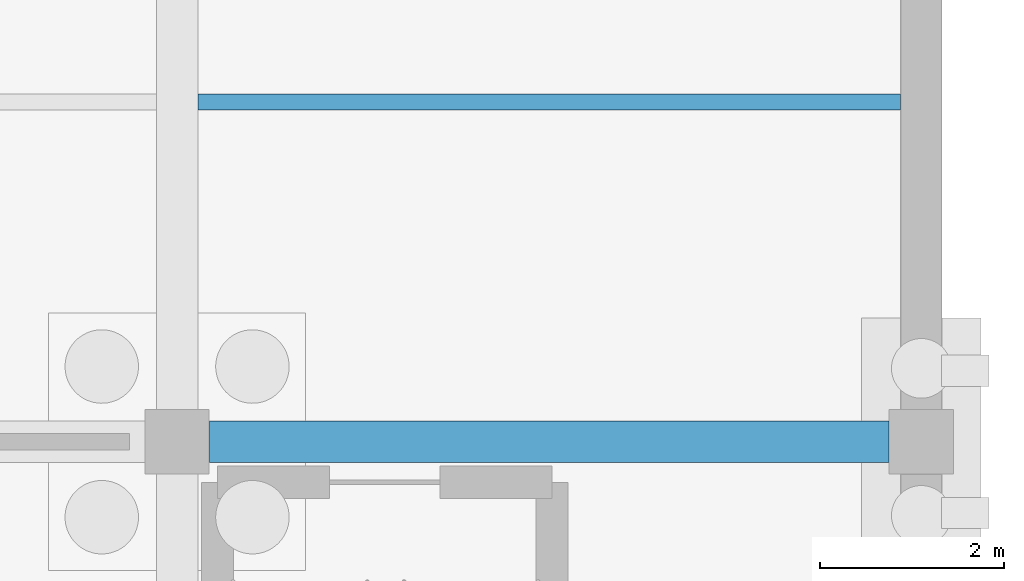
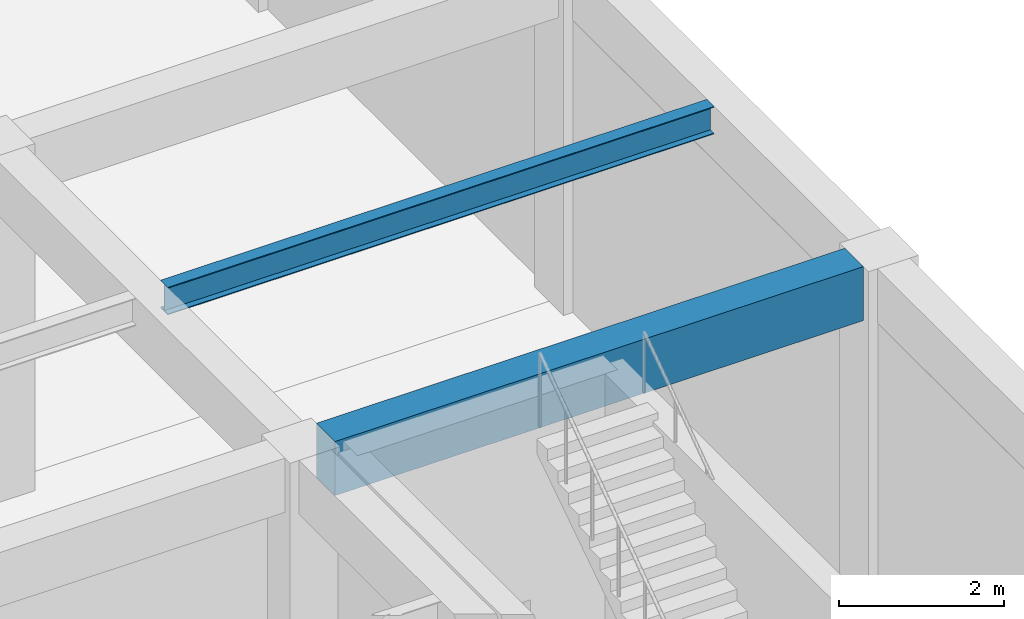
# One storey, part 100 of 140: 2 beams.
"""IFC4 building model written with IfcOpenShell, lengths in metres."""

from ifc_helpers import new_model, si_unit, direction, frame, origin, origin_2d, place, context, subcontext, project, spatial, rectangle, i_section, extrude, material, material_profile, profile_set, type_object, element, save


model = new_model("IFC4")

# Units and contexts
model_context = context("Model", 3, precision=1e-05, world=origin(), true_north=direction((0.0, 1.0)))
body_context = subcontext(model_context, "Body", "Model", "MODEL_VIEW")
ifc_project = project(units=[si_unit("LENGTHUNIT", "METRE"), si_unit("AREAUNIT", "SQUARE_METRE"), si_unit("VOLUMEUNIT", "CUBIC_METRE"), si_unit("PLANEANGLEUNIT", "RADIAN"), si_unit("MASSUNIT", "GRAM", prefix="KILO")], contexts=[model_context])

# Site, building, storey
site_placement = place(None, origin())
site = spatial("IfcSite", under=ifc_project, at=site_placement, CompositionType="ELEMENT")
building_placement = place(site_placement, origin())
building = spatial("IfcBuilding", under=site, at=building_placement, Name="Cimatlan Art Gallery", CompositionType="ELEMENT")
storey_placement = place(building_placement, origin())
storey = spatial("IfcBuildingStorey", under=building, at=storey_placement, Name="L00", CompositionType="ELEMENT", Elevation=0.0)

# Beams
ifc_material_1 = material(Name="Concrete C40/50", Category="concrete")
ifc_material_profile_1 = material_profile(ifc_material_1, rectangle(XDim=0.449951171875, YDim=0.800048828125, at=origin_2d()), Name="RC450X800")
ifc_profile_set_1 = profile_set([ifc_material_profile_1], Name="Concrete C40/50")
beam_type_1 = type_object("IfcBeamType", Name="BM-RC-450X800", PredefinedType="BEAM", material=ifc_profile_set_1)
beam_1_placement = place(storey_placement, frame((156.25, 53.5, 4.735107421875), z_axis=(1.0, 0.0, 0.0), x_axis=(0.0, 1.0, 0.0)))
element("IfcBeam", 1, at=beam_1_placement, inside=storey, type_object=beam_type_1, Name="BM-X-L00-19-07", PredefinedType="BEAM", context=body_context, shape_type="SweptSolid", body=[
    extrude(rectangle(XDim=0.449951171875, YDim=0.800048828125, at=origin_2d()), origin(), (0.0, 0.0, 1.0), 7.39990234375),
])
ifc_material_2 = material(Name="Steel ASTM A992 Grade 50", Category="steel")
ifc_material_profile_2 = material_profile(ifc_material_2, i_section(OverallWidth=0.177978515625, OverallDepth=0.406982421875, WebThickness=0.0078125, FlangeThickness=0.0126953125, at=origin_2d()), Name="W16X40")
ifc_profile_set_2 = profile_set([ifc_material_profile_2], Name="Steel ASTM A992 Grade 50")
beam_type_2 = type_object("IfcBeamType", Name="BM-STL-W16X40", PredefinedType="JOIST", material=ifc_profile_set_2)
beam_2_placement = place(storey_placement, frame((156.125, 57.199951171875, 4.931396484375), z_axis=(1.0, 0.0, 0.0), x_axis=(0.0, 1.0, 0.0)))
element("IfcBeam", 2, at=beam_2_placement, inside=storey, type_object=beam_type_2, Name="JST-L00-19-07", PredefinedType="JOIST", context=body_context, shape_type="SweptSolid", body=[
    extrude(i_section(OverallWidth=0.177978515625, OverallDepth=0.406982421875, WebThickness=0.0078125, FlangeThickness=0.0126953125, at=origin_2d()), origin(), (0.0, 0.0, 1.0), 7.64990234375),
])

save(model, "model.ifc")
